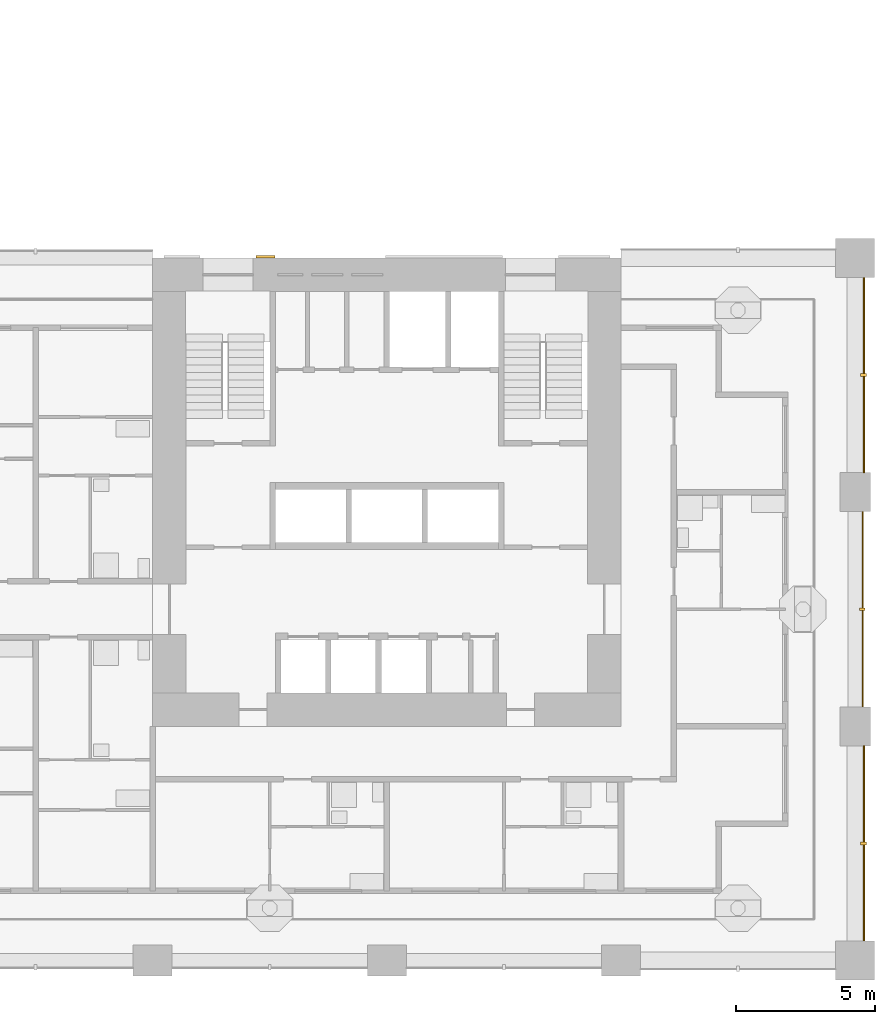
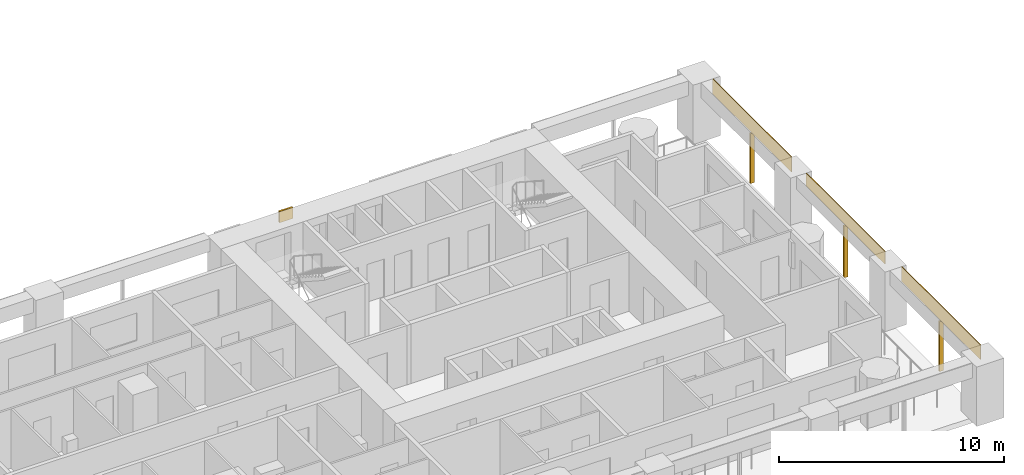
# One storey, part 18 of 22: 7 shading devices.
"""IFC4 building model written with IfcOpenShell, lengths in metres."""

import ifcopenshell
import ifcopenshell.guid

model = None  # the IFC model being written
_history = None  # IfcOwnerHistory: only IFC2X3 demands one
_inside = {}  # id of a spatial element -> (the spatial element, [elements in it])
_under = {}  # id of a project, library or spatial element -> (it, [spatial elements below it])
_declared = {}  # id of a project -> (the project, [libraries it declares])
_typed = {}  # id of a type object -> (the type object, [elements of that type])
_made_of = {}  # id of a material, layer set ... -> (it, [elements and type objects made of it])


def new_model(schema):
    """Start an empty IFC model of exactly this schema.

    Asked for "IFC4X3", IfcOpenShell would pick the latest addendum, in which some entities
    have other attributes; the version numbers below select the first issue.
    IFC2X3 requires an IfcOwnerHistory on every rooted entity: one is made here for all.
    """
    global model, _history
    if schema == "IFC4X3":
        model = ifcopenshell.file(schema_version=(4, 3, 0, 0))
    else:
        model = ifcopenshell.file(schema=schema)
    _inside.clear()
    _under.clear()
    _declared.clear()
    _typed.clear()
    _made_of.clear()
    _history = None
    if model.schema == "IFC2X3":
        org = make("IfcOrganization", Name="unknown")
        user = make(
            "IfcPersonAndOrganization",
            ThePerson=make("IfcPerson", FamilyName="unknown"),
            TheOrganization=org,
        )
        app = make(
            "IfcApplication",
            ApplicationDeveloper=org,
            Version="unknown",
            ApplicationFullName="unknown",
            ApplicationIdentifier="unknown",
        )
        _history = make(
            "IfcOwnerHistory",
            OwningUser=user,
            OwningApplication=app,
            ChangeAction="ADDED",
            CreationDate=0,
        )
    return model


def make(cls, **values):
    """One entity of the class cls with the attributes given. An attribute that is None is left unset."""
    return model.create_entity(
        cls, **{name: value for name, value in values.items() if value is not None}
    )


def rooted(cls, **values):
    """An entity with a GlobalId (a new one), such as an element, a storey or a relation."""
    return make(cls, GlobalId=ifcopenshell.guid.new(), OwnerHistory=_history, **values)


def si_unit(unit_type, name, prefix=None):
    """IfcSIUnit, for example si_unit("LENGTHUNIT", "METRE", prefix="MILLI")."""
    return make("IfcSIUnit", UnitType=unit_type, Prefix=prefix, Name=name)


def assignment(units):
    """IfcUnitAssignment: the units of a project."""
    return None if units is None else make("IfcUnitAssignment", Units=units)


def point(xyz):
    """IfcCartesianPoint."""
    return None if xyz is None else make("IfcCartesianPoint", Coordinates=xyz)


def direction(xyz):
    """IfcDirection."""
    return None if xyz is None else make("IfcDirection", DirectionRatios=xyz)


def frame(location, z_axis=None, x_axis=None):
    """IfcAxis2Placement3D, a coordinate frame: its origin and axes. An axis left out is left unset."""
    return make(
        "IfcAxis2Placement3D",
        Location=point(location),
        Axis=direction(z_axis),
        RefDirection=direction(x_axis),
    )


def frame_2d(location, x_axis=None):
    """IfcAxis2Placement2D, a coordinate frame in the plane: its origin and x axis."""
    return make(
        "IfcAxis2Placement2D", Location=point(location), RefDirection=direction(x_axis)
    )


def origin():
    """The frame at (0, 0, 0) with its axes left unset."""
    return frame((0.0, 0.0, 0.0))


def origin_2d():
    """The frame at (0, 0) in the plane with its x axis left unset."""
    return frame_2d((0.0, 0.0))


def place(relative_to, where):
    """IfcLocalPlacement: puts the frame where relative to a parent placement (None: the world)."""
    return make(
        "IfcLocalPlacement", PlacementRelTo=relative_to, RelativePlacement=where
    )


def context(
    kind, dimensions, precision=None, world=None, true_north=None, identifier=None
):
    """IfcGeometricRepresentationContext, for example the 3D "Model" context."""
    return make(
        "IfcGeometricRepresentationContext",
        ContextIdentifier=identifier,
        ContextType=kind,
        CoordinateSpaceDimension=dimensions,
        Precision=precision,
        WorldCoordinateSystem=world,
        TrueNorth=true_north,
    )


def subcontext(parent, identifier, kind, view, scale=None):
    """IfcGeometricRepresentationSubContext, for example "Body" below "Model"."""
    return make(
        "IfcGeometricRepresentationSubContext",
        ContextIdentifier=identifier,
        ContextType=kind,
        ParentContext=parent,
        TargetScale=scale,
        TargetView=view,
    )


def project(units=None, contexts=None):
    """IfcProject with its units and contexts."""
    return rooted(
        "IfcProject",
        Name="project",
        RepresentationContexts=contexts,
        UnitsInContext=assignment(units),
    )


def spatial(cls, under=None, at=None, **own):
    """A site, building, storey or space (cls), placed at a placement, below another one or the project."""
    s = rooted(cls, ObjectPlacement=at, **own)
    if under is not None:
        _under.setdefault(under.id(), (under, []))[1].append(s)
    return s


def profile(cls, at=None, kind="AREA", **sizes):
    """A parametric profile (cls). Its sizes go by their IFC names, for example OverallWidth=200.0."""
    return make(cls, ProfileType=kind, Position=at, **sizes)


def rectangle(**sizes):
    """IfcRectangleProfileDef."""
    return profile("IfcRectangleProfileDef", **sizes)


def extrude(swept, where, along, depth):
    """IfcExtrudedAreaSolid: the profile swept, set in the frame where, extruded along a direction by depth."""
    return make(
        "IfcExtrudedAreaSolid",
        SweptArea=swept,
        Position=where,
        ExtrudedDirection=direction(along),
        Depth=depth,
    )


def shape(context_of_items, identifier, shape_type, items):
    """IfcShapeRepresentation: the items that make up one representation, for example the "Body"."""
    return make(
        "IfcShapeRepresentation",
        ContextOfItems=context_of_items,
        RepresentationIdentifier=identifier,
        RepresentationType=shape_type,
        Items=items,
    )


def material(Name=None, Category=None):
    """IfcMaterial."""
    return make("IfcMaterial", Name=Name, Category=Category)


def layer(
    of_material, thickness, ventilated=None, Name=None, Category=None, Priority=None
):
    """IfcMaterialLayer: one layer of a wall or slab, of a material (None: an air gap)."""
    return make(
        "IfcMaterialLayer",
        Material=of_material,
        LayerThickness=thickness,
        IsVentilated=ventilated,
        Name=Name,
        Category=Category,
        Priority=Priority,
    )


def layer_set(layers, Name=None):
    """IfcMaterialLayerSet."""
    return make("IfcMaterialLayerSet", MaterialLayers=layers, LayerSetName=Name)


def material_profile(
    of_material, cross_section, Name=None, Category=None, Priority=None
):
    """IfcMaterialProfile: a cross section and its material."""
    return make(
        "IfcMaterialProfile",
        Name=Name,
        Material=of_material,
        Profile=cross_section,
        Priority=Priority,
        Category=Category,
    )


def profile_set(profiles, Name=None, composite=None):
    """IfcMaterialProfileSet."""
    return make(
        "IfcMaterialProfileSet",
        Name=Name,
        MaterialProfiles=profiles,
        CompositeProfile=composite,
    )


def made_of(thing, what):
    """Note that an element or type object is made of a material, layer set ...; save() writes the relation."""
    if what is not None:
        _made_of.setdefault(what.id(), (what, []))[1].append(thing)
    return thing


def type_object(cls, material=None, **own):
    """A type object (cls), such as IfcWallType, which elements share."""
    return made_of(rooted(cls, **own), material)


def element(
    cls,
    number,
    at=None,
    inside=None,
    cuts=None,
    type_object=None,
    material=None,
    context=None,
    identifier="Body",
    shape_type=None,
    held_by="IfcProductDefinitionShape",
    body=None,
    shapes=None,
    **own,
):
    """One element of the class cls, such as IfcWall. Its Tag is "e" and its number.

    at: its placement. inside: the storey or other place that contains it. cuts: it is an
    opening in that element (IfcRelVoidsElement). A single representation is given by context,
    identifier, shape_type and body (its items); several are given by shapes. held_by: the class
    of the entity that holds the representations. save() writes the other relations.
    """
    e = rooted(cls, Tag="e%d" % number, ObjectPlacement=at, **own)
    if body is not None:
        shapes = [shape(context, identifier, shape_type, body)]
    if shapes is not None:
        e.Representation = make(held_by, Representations=shapes)
    if inside is not None:
        _inside.setdefault(inside.id(), (inside, []))[1].append(e)
    if cuts is not None:
        rooted(
            "IfcRelVoidsElement", RelatingBuildingElement=cuts, RelatedOpeningElement=e
        )
    if type_object is not None:
        _typed.setdefault(type_object.id(), (type_object, []))[1].append(e)
    return made_of(e, material)


def aggregate(whole, parts):
    """IfcRelAggregates: a whole, such as a stair, and the parts it consists of."""
    return rooted("IfcRelAggregates", RelatingObject=whole, RelatedObjects=parts)


def save(model, path):
    """Write the relations noted so far, then the file.

    IfcRelAggregates (storeys below a building ...), IfcRelContainedInSpatialStructure (elements
    in a storey), IfcRelDefinesByType, IfcRelAssociatesMaterial and IfcRelDeclares: one each for
    every whole, place, type object, material and project.
    """
    for whole, parts in _under.values():
        aggregate(whole, parts)
    for where, things in _inside.values():
        rooted(
            "IfcRelContainedInSpatialStructure",
            RelatedElements=things,
            RelatingStructure=where,
        )
    for kind, things in _typed.values():
        rooted("IfcRelDefinesByType", RelatedObjects=things, RelatingType=kind)
    for what, things in _made_of.values():
        rooted("IfcRelAssociatesMaterial", RelatedObjects=things, RelatingMaterial=what)
    for by, libraries in _declared.values():
        rooted("IfcRelDeclares", RelatingContext=by, RelatedDefinitions=libraries)
    model.write(path)


model = new_model("IFC4")

# Units and contexts
model_context = context("Model", 3, precision=1e-05, world=origin(), true_north=direction((0.0, 1.0)))
body_context = subcontext(model_context, "Body", "Model", "MODEL_VIEW")
ifc_project = project(units=[si_unit("LENGTHUNIT", "METRE"), si_unit("AREAUNIT", "SQUARE_METRE"), si_unit("VOLUMEUNIT", "CUBIC_METRE"), si_unit("PLANEANGLEUNIT", "RADIAN"), si_unit("MASSUNIT", "GRAM", prefix="KILO")], contexts=[model_context])

# Site, building, storey
site_placement = place(None, origin())
site = spatial("IfcSite", under=ifc_project, at=site_placement, CompositionType="ELEMENT")
building_placement = place(site_placement, origin())
building = spatial("IfcBuilding", under=site, at=building_placement, Name="Vermilion Gate Residences", CompositionType="ELEMENT")
storey_placement = place(building_placement, frame((0.0, 0.0, 63.699951171875)))
storey = spatial("IfcBuildingStorey", under=building, at=storey_placement, Name="L15", CompositionType="ELEMENT", Elevation=63.699951171875)

# Shading devices
ifc_material_1 = material(Name="Perforated terracotta", Category="masonry")
ifc_layer_1 = layer(ifc_material_1, 0.0400390625)
ifc_layer_set_1 = layer_set([ifc_layer_1], Name="PERFORATED TERRACOTTA SCREEN 40")
shading_device_type_1 = type_object("IfcShadingDeviceType", Name="PERFORATED TERRACOTTA SCREEN 40", PredefinedType="SHUTTER", material=ifc_layer_set_1)
shading_device_1_placement = place(storey_placement, frame((67.52001953125, 4.199951171875, 2.419921875), z_axis=(0.0, 0.0, 1.0), x_axis=(0.0, 1.0, 0.0)))
element("IfcShadingDevice", 1, at=shading_device_1_placement, inside=storey, type_object=shading_device_type_1, Name="SCREEN", PredefinedType="SHUTTER", context=body_context, shape_type="SweptSolid", body=[
    extrude(rectangle(XDim=7.0, YDim=0.0400390625, at=origin_2d()), origin(), (0.0, 0.0, 1.0), 0.800048828125),
])
shading_device_2_placement = place(storey_placement, frame((67.469970703125, 12.60009765625, 2.52001953125), z_axis=(0.0, 0.0, 1.0), x_axis=(0.0, 1.0, 0.0)))
element("IfcShadingDevice", 2, at=shading_device_2_placement, inside=storey, type_object=shading_device_type_1, Name="SCREEN", PredefinedType="SHUTTER", context=body_context, shape_type="SweptSolid", body=[
    extrude(rectangle(XDim=7.0, YDim=0.0400390625, at=origin_2d()), origin(), (0.0, 0.0, 1.0), 0.699951171875),
])
shading_device_3_placement = place(storey_placement, frame((67.52001953125, 21.0, 2.419921875), z_axis=(0.0, 0.0, 1.0), x_axis=(0.0, 1.0, 0.0)))
element("IfcShadingDevice", 3, at=shading_device_3_placement, inside=storey, type_object=shading_device_type_1, Name="SCREEN", PredefinedType="SHUTTER", context=body_context, shape_type="SweptSolid", body=[
    extrude(rectangle(XDim=7.0, YDim=0.0400390625, at=origin_2d()), origin(), (0.0, 0.0, 1.0), 0.800048828125),
])
ifc_material_2 = material(Name="Extruded terracotta", Category="masonry")
ifc_material_profile = material_profile(ifc_material_2, rectangle(XDim=0.199951171875, YDim=0.10009765625, at=origin_2d()), Name="BAGUETTE 100 X 200")
ifc_profile_set = profile_set([ifc_material_profile], Name="Extruded terracotta")
shading_device_type_2 = type_object("IfcShadingDeviceType", Name="TERRACOTTA BAGUETTE 100 X 200", PredefinedType="JALOUSIE", material=ifc_profile_set)
shading_device_4_placement = place(storey_placement, frame((67.5, 4.199951171875, -0.280029296875), z_axis=(0.0, 0.0, 1.0), x_axis=(-1.0, 0.0, 0.0)))
element("IfcShadingDevice", 4, at=shading_device_4_placement, inside=storey, type_object=shading_device_type_2, Name="BAGUETTE", PredefinedType="JALOUSIE", context=body_context, shape_type="SweptSolid", body=[
    extrude(rectangle(XDim=0.199951171875, YDim=0.10009765625, at=origin_2d()), origin(), (0.0, 0.0, 1.0), 2.7001953125),
])
shading_device_5_placement = place(storey_placement, frame((67.449951171875, 12.60009765625, -0.280029296875), z_axis=(0.0, 0.0, 1.0), x_axis=(-1.0, 0.0, 0.0)))
element("IfcShadingDevice", 5, at=shading_device_5_placement, inside=storey, type_object=shading_device_type_2, Name="BAGUETTE", PredefinedType="JALOUSIE", context=body_context, shape_type="SweptSolid", body=[
    extrude(rectangle(XDim=0.199951171875, YDim=0.10009765625, at=origin_2d()), origin(), (0.0, 0.0, 1.0), 2.800048828125),
])
shading_device_6_placement = place(storey_placement, frame((67.5, 21.0, -0.280029296875), z_axis=(0.0, 0.0, 1.0), x_axis=(-1.0, 0.0, 0.0)))
element("IfcShadingDevice", 6, at=shading_device_6_placement, inside=storey, type_object=shading_device_type_2, Name="BAGUETTE", PredefinedType="JALOUSIE", context=body_context, shape_type="SweptSolid", body=[
    extrude(rectangle(XDim=0.199951171875, YDim=0.10009765625, at=origin_2d()), origin(), (0.0, 0.0, 1.0), 2.7001953125),
])
ifc_material_3 = material(Name="Extruded terracotta", Category="masonry")
ifc_layer_2 = layer(ifc_material_3, 0.10009765625)
ifc_layer_set_2 = layer_set([ifc_layer_2], Name="TERRACOTTA SPANDREL BAND 600 X 100")
shading_device_type_3 = type_object("IfcShadingDeviceType", Name="TERRACOTTA SPANDREL BAND 600 X 100", PredefinedType="USERDEFINED", material=ifc_layer_set_2)
shading_device_7_placement = place(storey_placement, frame((46.044921875, 25.25, 2.6201171875), z_axis=(0.0, 0.0, 1.0), x_axis=(1.0, 0.0, 0.0)))
element("IfcShadingDevice", 7, at=shading_device_7_placement, inside=storey, type_object=shading_device_type_3, Name="SPANDREL BAND", ObjectType="BAND", PredefinedType="USERDEFINED", context=body_context, shape_type="SweptSolid", body=[
    extrude(rectangle(XDim=0.68994140625, YDim=0.10009765625, at=origin_2d()), origin(), (0.0, 0.0, 1.0), 0.60009765625),
])

save(model, "model.ifc")
